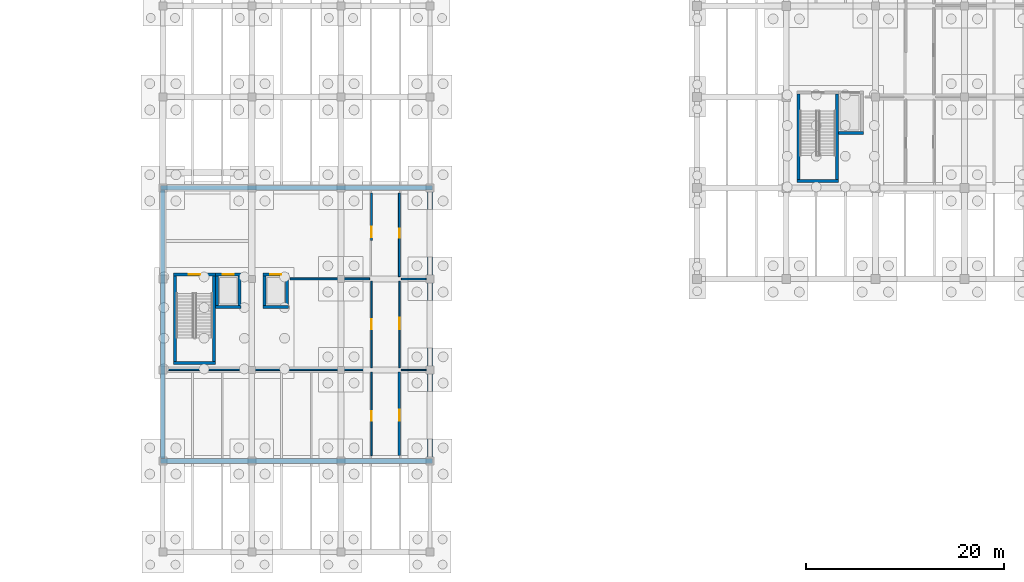
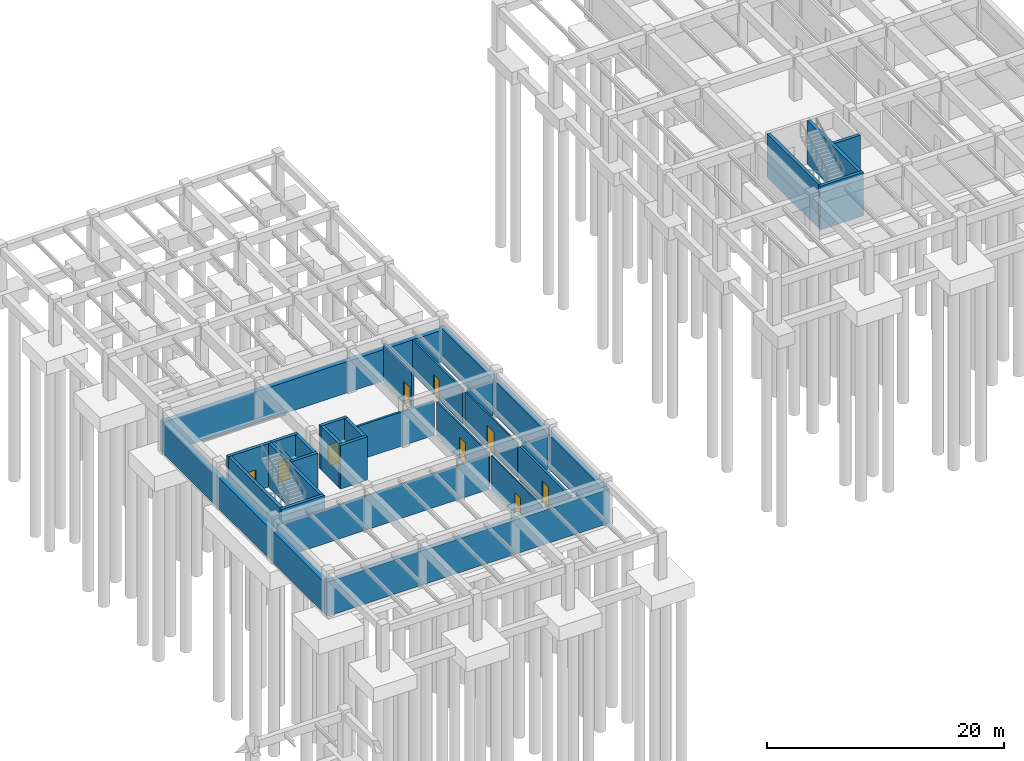
# One storey, part 10 of 16: 30 walls, 9 doors, 9 openings.
"""IFC4 building model written with IfcOpenShell, lengths in metres."""

import ifcopenshell
import ifcopenshell.guid

model = None  # the IFC model being written
_history = None  # IfcOwnerHistory: only IFC2X3 demands one
_inside = {}  # id of a spatial element -> (the spatial element, [elements in it])
_under = {}  # id of a project, library or spatial element -> (it, [spatial elements below it])
_declared = {}  # id of a project -> (the project, [libraries it declares])
_typed = {}  # id of a type object -> (the type object, [elements of that type])
_made_of = {}  # id of a material, layer set ... -> (it, [elements and type objects made of it])


def new_model(schema):
    """Start an empty IFC model of exactly this schema.

    Asked for "IFC4X3", IfcOpenShell would pick the latest addendum, in which some entities
    have other attributes; the version numbers below select the first issue.
    IFC2X3 requires an IfcOwnerHistory on every rooted entity: one is made here for all.
    """
    global model, _history
    if schema == "IFC4X3":
        model = ifcopenshell.file(schema_version=(4, 3, 0, 0))
    else:
        model = ifcopenshell.file(schema=schema)
    _inside.clear()
    _under.clear()
    _declared.clear()
    _typed.clear()
    _made_of.clear()
    _history = None
    if model.schema == "IFC2X3":
        org = make("IfcOrganization", Name="unknown")
        user = make(
            "IfcPersonAndOrganization",
            ThePerson=make("IfcPerson", FamilyName="unknown"),
            TheOrganization=org,
        )
        app = make(
            "IfcApplication",
            ApplicationDeveloper=org,
            Version="unknown",
            ApplicationFullName="unknown",
            ApplicationIdentifier="unknown",
        )
        _history = make(
            "IfcOwnerHistory",
            OwningUser=user,
            OwningApplication=app,
            ChangeAction="ADDED",
            CreationDate=0,
        )
    return model


def make(cls, **values):
    """One entity of the class cls with the attributes given. An attribute that is None is left unset."""
    return model.create_entity(
        cls, **{name: value for name, value in values.items() if value is not None}
    )


def rooted(cls, **values):
    """An entity with a GlobalId (a new one), such as an element, a storey or a relation."""
    return make(cls, GlobalId=ifcopenshell.guid.new(), OwnerHistory=_history, **values)


def si_unit(unit_type, name, prefix=None):
    """IfcSIUnit, for example si_unit("LENGTHUNIT", "METRE", prefix="MILLI")."""
    return make("IfcSIUnit", UnitType=unit_type, Prefix=prefix, Name=name)


def assignment(units):
    """IfcUnitAssignment: the units of a project."""
    return None if units is None else make("IfcUnitAssignment", Units=units)


def point(xyz):
    """IfcCartesianPoint."""
    return None if xyz is None else make("IfcCartesianPoint", Coordinates=xyz)


def direction(xyz):
    """IfcDirection."""
    return None if xyz is None else make("IfcDirection", DirectionRatios=xyz)


def frame(location, z_axis=None, x_axis=None):
    """IfcAxis2Placement3D, a coordinate frame: its origin and axes. An axis left out is left unset."""
    return make(
        "IfcAxis2Placement3D",
        Location=point(location),
        Axis=direction(z_axis),
        RefDirection=direction(x_axis),
    )


def frame_2d(location, x_axis=None):
    """IfcAxis2Placement2D, a coordinate frame in the plane: its origin and x axis."""
    return make(
        "IfcAxis2Placement2D", Location=point(location), RefDirection=direction(x_axis)
    )


def origin():
    """The frame at (0, 0, 0) with its axes left unset."""
    return frame((0.0, 0.0, 0.0))


def place(relative_to, where):
    """IfcLocalPlacement: puts the frame where relative to a parent placement (None: the world)."""
    return make(
        "IfcLocalPlacement", PlacementRelTo=relative_to, RelativePlacement=where
    )


def context(
    kind, dimensions, precision=None, world=None, true_north=None, identifier=None
):
    """IfcGeometricRepresentationContext, for example the 3D "Model" context."""
    return make(
        "IfcGeometricRepresentationContext",
        ContextIdentifier=identifier,
        ContextType=kind,
        CoordinateSpaceDimension=dimensions,
        Precision=precision,
        WorldCoordinateSystem=world,
        TrueNorth=true_north,
    )


def subcontext(parent, identifier, kind, view, scale=None):
    """IfcGeometricRepresentationSubContext, for example "Body" below "Model"."""
    return make(
        "IfcGeometricRepresentationSubContext",
        ContextIdentifier=identifier,
        ContextType=kind,
        ParentContext=parent,
        TargetScale=scale,
        TargetView=view,
    )


def project(units=None, contexts=None):
    """IfcProject with its units and contexts."""
    return rooted(
        "IfcProject",
        Name="project",
        RepresentationContexts=contexts,
        UnitsInContext=assignment(units),
    )


def spatial(cls, under=None, at=None, **own):
    """A site, building, storey or space (cls), placed at a placement, below another one or the project."""
    s = rooted(cls, ObjectPlacement=at, **own)
    if under is not None:
        _under.setdefault(under.id(), (under, []))[1].append(s)
    return s


def profile(cls, at=None, kind="AREA", **sizes):
    """A parametric profile (cls). Its sizes go by their IFC names, for example OverallWidth=200.0."""
    return make(cls, ProfileType=kind, Position=at, **sizes)


def rectangle(**sizes):
    """IfcRectangleProfileDef."""
    return profile("IfcRectangleProfileDef", **sizes)


def extrude(swept, where, along, depth):
    """IfcExtrudedAreaSolid: the profile swept, set in the frame where, extruded along a direction by depth."""
    return make(
        "IfcExtrudedAreaSolid",
        SweptArea=swept,
        Position=where,
        ExtrudedDirection=direction(along),
        Depth=depth,
    )


def shape(context_of_items, identifier, shape_type, items):
    """IfcShapeRepresentation: the items that make up one representation, for example the "Body"."""
    return make(
        "IfcShapeRepresentation",
        ContextOfItems=context_of_items,
        RepresentationIdentifier=identifier,
        RepresentationType=shape_type,
        Items=items,
    )


def material(Name=None, Category=None):
    """IfcMaterial."""
    return make("IfcMaterial", Name=Name, Category=Category)


def layer(
    of_material, thickness, ventilated=None, Name=None, Category=None, Priority=None
):
    """IfcMaterialLayer: one layer of a wall or slab, of a material (None: an air gap)."""
    return make(
        "IfcMaterialLayer",
        Material=of_material,
        LayerThickness=thickness,
        IsVentilated=ventilated,
        Name=Name,
        Category=Category,
        Priority=Priority,
    )


def layer_set(layers, Name=None):
    """IfcMaterialLayerSet."""
    return make("IfcMaterialLayerSet", MaterialLayers=layers, LayerSetName=Name)


def made_of(thing, what):
    """Note that an element or type object is made of a material, layer set ...; save() writes the relation."""
    if what is not None:
        _made_of.setdefault(what.id(), (what, []))[1].append(thing)
    return thing


def type_object(cls, material=None, **own):
    """A type object (cls), such as IfcWallType, which elements share."""
    return made_of(rooted(cls, **own), material)


def element(
    cls,
    number,
    at=None,
    inside=None,
    cuts=None,
    type_object=None,
    material=None,
    context=None,
    identifier="Body",
    shape_type=None,
    held_by="IfcProductDefinitionShape",
    body=None,
    shapes=None,
    **own,
):
    """One element of the class cls, such as IfcWall. Its Tag is "e" and its number.

    at: its placement. inside: the storey or other place that contains it. cuts: it is an
    opening in that element (IfcRelVoidsElement). A single representation is given by context,
    identifier, shape_type and body (its items); several are given by shapes. held_by: the class
    of the entity that holds the representations. save() writes the other relations.
    """
    e = rooted(cls, Tag="e%d" % number, ObjectPlacement=at, **own)
    if body is not None:
        shapes = [shape(context, identifier, shape_type, body)]
    if shapes is not None:
        e.Representation = make(held_by, Representations=shapes)
    if inside is not None:
        _inside.setdefault(inside.id(), (inside, []))[1].append(e)
    if cuts is not None:
        rooted(
            "IfcRelVoidsElement", RelatingBuildingElement=cuts, RelatedOpeningElement=e
        )
    if type_object is not None:
        _typed.setdefault(type_object.id(), (type_object, []))[1].append(e)
    return made_of(e, material)


def fill(opening, filler):
    """IfcRelFillsElement: the door or window that sits in an opening."""
    return rooted(
        "IfcRelFillsElement",
        RelatingOpeningElement=opening,
        RelatedBuildingElement=filler,
    )


def aggregate(whole, parts):
    """IfcRelAggregates: a whole, such as a stair, and the parts it consists of."""
    return rooted("IfcRelAggregates", RelatingObject=whole, RelatedObjects=parts)


def save(model, path):
    """Write the relations noted so far, then the file.

    IfcRelAggregates (storeys below a building ...), IfcRelContainedInSpatialStructure (elements
    in a storey), IfcRelDefinesByType, IfcRelAssociatesMaterial and IfcRelDeclares: one each for
    every whole, place, type object, material and project.
    """
    for whole, parts in _under.values():
        aggregate(whole, parts)
    for where, things in _inside.values():
        rooted(
            "IfcRelContainedInSpatialStructure",
            RelatedElements=things,
            RelatingStructure=where,
        )
    for kind, things in _typed.values():
        rooted("IfcRelDefinesByType", RelatedObjects=things, RelatingType=kind)
    for what, things in _made_of.values():
        rooted("IfcRelAssociatesMaterial", RelatedObjects=things, RelatingMaterial=what)
    for by, libraries in _declared.values():
        rooted("IfcRelDeclares", RelatingContext=by, RelatedDefinitions=libraries)
    model.write(path)


model = new_model("IFC4")

# Units and contexts
model_context = context("Model", 3, precision=1e-05, world=origin(), true_north=direction((0.0, 1.0)))
body_context = subcontext(model_context, "Body", "Model", "MODEL_VIEW")
ifc_project = project(units=[si_unit("LENGTHUNIT", "METRE"), si_unit("AREAUNIT", "SQUARE_METRE"), si_unit("VOLUMEUNIT", "CUBIC_METRE"), si_unit("PLANEANGLEUNIT", "RADIAN"), si_unit("MASSUNIT", "GRAM", prefix="KILO")], contexts=[model_context])

# Site, building, storey
site_placement = place(None, origin())
site = spatial("IfcSite", under=ifc_project, at=site_placement, CompositionType="ELEMENT")
building_placement = place(site_placement, origin())
building = spatial("IfcBuilding", under=site, at=building_placement, Name="Bozkorgan Art Gallery", CompositionType="ELEMENT")
storey_placement = place(building_placement, frame((0.0, 0.0, -4.800048828125)))
storey = spatial("IfcBuildingStorey", under=building, at=storey_placement, Name="B1", CompositionType="ELEMENT", Elevation=-4.800048828125)

# Wall, opening, door
ifc_material_1 = material(Name="Concrete C40/50", Category="concrete")
ifc_layer_1 = layer(ifc_material_1, 0.300048828125, Name="Concrete C40/50")
ifc_layer_set_1 = layer_set([ifc_layer_1], Name="Concrete C40/50")
wall_type_1 = type_object("IfcWallType", Name="IWALL-CW-44", PredefinedType="SHEAR", material=ifc_layer_set_1)
wall_1_placement = place(storey_placement, frame((75.10009765625, 66.449951171875, 0.0), z_axis=(0.0, 0.0, 1.0), x_axis=(1.0, 0.0, 0.0)))
wall_1 = element("IfcWall", 1, at=wall_1_placement, inside=storey, type_object=wall_type_1, Name="CORE2 B1 stair core north shear wall", PredefinedType="SHEAR", context=body_context, shape_type="SweptSolid", body=[
    extrude(rectangle(XDim=4.199951171875, YDim=0.300048828125, at=frame_2d((2.10009765625, 0.0))), origin(), (0.0, 0.0, 1.0), 4.47998046875),
])
opening_1_placement = place(wall_1_placement, frame((2.6748046875, 0.0, 0.0), z_axis=(0.0, 0.0, 1.0), x_axis=(-1.0, 0.0, 0.0)))
opening_1 = element("IfcOpeningElement", 2, at=opening_1_placement, cuts=wall_1, Name="Opening SD-41", PredefinedType="OPENING", context=body_context, shape_type="SweptSolid", body=[
    extrude(rectangle(XDim=1.14990234375, YDim=2.199951171875, at=frame_2d((0.574951171875, 1.10009765625))), frame((0.0, 0.16015625, 0.0), z_axis=(0.0, -1.0, 0.0), x_axis=(1.0, 0.0, 0.0)), (0.0, 0.0, 1.0), 0.320068359375),
])
ifc_material_2 = material(Name="Steel S355J2", Category="steel")
door_type_1 = type_object("IfcDoorType", Name="IDOOR-SD-41", OperationType="NOTDEFINED", PredefinedType="DOOR", material=ifc_material_2)
door_1_placement = place(opening_1_placement, origin())
door_1 = element("IfcDoor", 3, at=door_1_placement, inside=storey, type_object=door_type_1, Name="ST2 B1 Fire Stair Door", OperationType="SINGLE_SWING_LEFT", OverallHeight=2.199951171875, OverallWidth=1.14990234375, PredefinedType="DOOR", context=body_context, shape_type="SweptSolid", body=[
    extrude(rectangle(XDim=1.14990234375, YDim=2.199951171875, at=frame_2d((0.574951171875, 1.10009765625))), frame((0.0, 0.02490234375, 0.0), z_axis=(0.0, -1.0, 0.0), x_axis=(1.0, 0.0, 0.0)), (0.0, 0.0, 1.0), 0.050048828125),
])
fill(opening_1, door_1)

# Walls
wall_2_placement = place(storey_placement, frame((75.10009765625, 57.5, 0.0), z_axis=(0.0, 0.0, 1.0), x_axis=(1.0, 0.0, 0.0)))
element("IfcWall", 4, at=wall_2_placement, inside=storey, type_object=wall_type_1, Name="CORE2 B1 stair core S shear wall", PredefinedType="SHEAR", context=body_context, shape_type="SweptSolid", body=[
    extrude(rectangle(XDim=4.199951171875, YDim=0.300048828125, at=frame_2d((2.10009765625, 0.0))), origin(), (0.0, 0.0, 1.0), 4.47998046875),
])
for number, where, z_axis, x_axis, name in (
    (5, (75.25, 57.64990234375, 0.0), (0.0, 0.0, 1.0), (0.0, 1.0, 0.0), "CORE2 B1 stair core W shear wall"),
    (6, (79.14990234375, 57.64990234375, 0.0), (0.0, 0.0, 1.0), (0.0, 1.0, 0.0), "CORE2 B1 stair core E shear wall"),
):
    element("IfcWall", number, at=place(storey_placement, frame(where, z_axis=z_axis, x_axis=x_axis)), inside=storey, type_object=wall_type_1, Name=name, PredefinedType="SHEAR", context=body_context, shape_type="SweptSolid", body=[
        extrude(rectangle(XDim=8.650146484375, YDim=0.300048828125, at=frame_2d((4.3251953125, 0.0))), origin(), (0.0, 0.0, 1.0), 4.47998046875),
    ])

# Wall, opening, door
wall_3_placement = place(storey_placement, frame((79.300048828125, 66.449951171875, 0.0), z_axis=(0.0, 0.0, 1.0), x_axis=(1.0, 0.0, 0.0)))
wall_3 = element("IfcWall", 7, at=wall_3_placement, inside=storey, type_object=wall_type_1, Name="PL2 B1 shaft front shear wall", PredefinedType="SHEAR", context=body_context, shape_type="SweptSolid", body=[
    extrude(rectangle(XDim=2.599853515625, YDim=0.300048828125, at=frame_2d((1.2998046875, 0.0))), origin(), (0.0, 0.0, 1.0), 4.47998046875),
])
opening_2_placement = place(wall_3_placement, frame((0.75, 0.0, 0.0)))
opening_2 = element("IfcOpeningElement", 8, at=opening_2_placement, cuts=wall_3, Name="Opening LD-25", PredefinedType="OPENING", context=body_context, shape_type="SweptSolid", body=[
    extrude(rectangle(XDim=1.10009765625, YDim=2.199951171875, at=frame_2d((0.550048828125, 1.10009765625))), frame((0.0, 0.16015625, 0.0), z_axis=(0.0, -1.0, 0.0), x_axis=(1.0, 0.0, 0.0)), (0.0, 0.0, 1.0), 0.320068359375),
])
door_type_2 = type_object("IfcDoorType", Name="IDOOR-LD-25", OperationType="NOTDEFINED", PredefinedType="DOOR", material=ifc_material_2)
door_2_placement = place(opening_2_placement, origin())
door_2 = element("IfcDoor", 9, at=door_2_placement, inside=storey, type_object=door_type_2, Name="LD-PL2-B1 Lift Landing Door", OperationType="SLIDING_TO_LEFT", OverallHeight=2.199951171875, OverallWidth=1.10009765625, PredefinedType="DOOR", context=body_context, shape_type="SweptSolid", body=[
    extrude(rectangle(XDim=1.10009765625, YDim=2.199951171875, at=frame_2d((0.550048828125, 1.10009765625))), frame((0.0, 0.02490234375, 0.0), z_axis=(0.0, -1.0, 0.0), x_axis=(1.0, 0.0, 0.0)), (0.0, 0.0, 1.0), 0.050048828125),
])
fill(opening_2, door_2)

# Walls
wall_4_placement = place(storey_placement, frame((79.300048828125, 63.14990234375, 0.0), z_axis=(0.0, 0.0, 1.0), x_axis=(1.0, 0.0, 0.0)))
element("IfcWall", 10, at=wall_4_placement, inside=storey, type_object=wall_type_1, Name="PL2 B1 shaft S shear wall", PredefinedType="SHEAR", context=body_context, shape_type="SweptSolid", body=[
    extrude(rectangle(XDim=2.599853515625, YDim=0.300048828125, at=frame_2d((1.2998046875, 0.0))), origin(), (0.0, 0.0, 1.0), 4.47998046875),
])
for number, where, z_axis, x_axis, name in (
    (11, (81.75, 63.300048828125, 0.0), (0.0, 0.0, 1.0), (0.0, 1.0, 0.0), "PL2 B1 shaft E shear wall"),
    (12, (79.449951171875, 63.300048828125, 0.0), (0.0, 0.0, 1.0), (0.0, 1.0, 0.0), "PL2 B1 shaft W shear wall"),
):
    element("IfcWall", number, at=place(storey_placement, frame(where, z_axis=z_axis, x_axis=x_axis)), inside=storey, type_object=wall_type_1, Name=name, PredefinedType="SHEAR", context=body_context, shape_type="SweptSolid", body=[
        extrude(rectangle(XDim=3.0, YDim=0.300048828125, at=frame_2d((1.5, 0.0))), origin(), (0.0, 0.0, 1.0), 4.47998046875),
    ])

# Wall, opening, door
wall_5_placement = place(storey_placement, frame((84.10009765625, 66.449951171875, 0.0), z_axis=(0.0, 0.0, 1.0), x_axis=(1.0, 0.0, 0.0)))
wall_5 = element("IfcWall", 13, at=wall_5_placement, inside=storey, type_object=wall_type_1, Name="PL3 B1 shaft front shear wall", PredefinedType="SHEAR", context=body_context, shape_type="SweptSolid", body=[
    extrude(rectangle(XDim=2.599853515625, YDim=0.300048828125, at=frame_2d((1.2998046875, 0.0))), origin(), (0.0, 0.0, 1.0), 4.47998046875),
])
opening_3_placement = place(wall_5_placement, frame((0.75, 0.0, 0.0)))
opening_3 = element("IfcOpeningElement", 14, at=opening_3_placement, cuts=wall_5, Name="Opening LD-75", PredefinedType="OPENING", context=body_context, shape_type="SweptSolid", body=[
    extrude(rectangle(XDim=1.10009765625, YDim=2.199951171875, at=frame_2d((0.550048828125, 1.10009765625))), frame((0.0, 0.16015625, 0.0), z_axis=(0.0, -1.0, 0.0), x_axis=(1.0, 0.0, 0.0)), (0.0, 0.0, 1.0), 0.320068359375),
])
door_type_3 = type_object("IfcDoorType", Name="IDOOR-LD-75", OperationType="NOTDEFINED", PredefinedType="DOOR", material=ifc_material_2)
door_3_placement = place(opening_3_placement, origin())
door_3 = element("IfcDoor", 15, at=door_3_placement, inside=storey, type_object=door_type_3, Name="LD-PL3-B1 Lift Landing Door", OperationType="SLIDING_TO_RIGHT", OverallHeight=2.199951171875, OverallWidth=1.10009765625, PredefinedType="DOOR", context=body_context, shape_type="SweptSolid", body=[
    extrude(rectangle(XDim=1.10009765625, YDim=2.199951171875, at=frame_2d((0.550048828125, 1.10009765625))), frame((0.0, 0.02490234375, 0.0), z_axis=(0.0, -1.0, 0.0), x_axis=(1.0, 0.0, 0.0)), (0.0, 0.0, 1.0), 0.050048828125),
])
fill(opening_3, door_3)

# Walls
wall_6_placement = place(storey_placement, frame((84.10009765625, 63.14990234375, 0.0), z_axis=(0.0, 0.0, 1.0), x_axis=(1.0, 0.0, 0.0)))
element("IfcWall", 16, at=wall_6_placement, inside=storey, type_object=wall_type_1, Name="PL3 B1 shaft S shear wall", PredefinedType="SHEAR", context=body_context, shape_type="SweptSolid", body=[
    extrude(rectangle(XDim=2.599853515625, YDim=0.300048828125, at=frame_2d((1.2998046875, 0.0))), origin(), (0.0, 0.0, 1.0), 4.47998046875),
])
for number, where, z_axis, x_axis, name in (
    (17, (86.550048828125, 63.300048828125, 0.0), (0.0, 0.0, 1.0), (0.0, 1.0, 0.0), "PL3 B1 shaft E shear wall"),
    (18, (84.25, 63.300048828125, 0.0), (0.0, 0.0, 1.0), (0.0, 1.0, 0.0), "PL3 B1 shaft W shear wall"),
):
    element("IfcWall", number, at=place(storey_placement, frame(where, z_axis=z_axis, x_axis=x_axis)), inside=storey, type_object=wall_type_1, Name=name, PredefinedType="SHEAR", context=body_context, shape_type="SweptSolid", body=[
        extrude(rectangle(XDim=3.0, YDim=0.300048828125, at=frame_2d((1.5, 0.0))), origin(), (0.0, 0.0, 1.0), 4.47998046875),
    ])
wall_7_placement = place(storey_placement, frame((138.10009765625, 75.89990234375, 0.0), z_axis=(0.0, 0.0, 1.0), x_axis=(1.0, 0.0, 0.0)))
element("IfcWall", 19, at=wall_7_placement, inside=storey, type_object=wall_type_1, Name="CORE3 B1 stair core S shear wall", PredefinedType="SHEAR", context=body_context, shape_type="SweptSolid", body=[
    extrude(rectangle(XDim=4.199951171875, YDim=0.300048828125, at=frame_2d((2.10009765625, 0.0))), origin(), (0.0, 0.0, 1.0), 4.47998046875),
])
for number, where, z_axis, x_axis, name in (
    (20, (138.25, 76.050048828125, 0.0), (0.0, 0.0, 1.0), (0.0, 1.0, 0.0), "CORE3 B1 stair core W shear wall"),
    (21, (142.14990234375, 76.050048828125, 0.0), (0.0, 0.0, 1.0), (0.0, 1.0, 0.0), "CORE3 B1 stair core E shear wall"),
):
    element("IfcWall", number, at=place(storey_placement, frame(where, z_axis=z_axis, x_axis=x_axis)), inside=storey, type_object=wall_type_1, Name=name, PredefinedType="SHEAR", context=body_context, shape_type="SweptSolid", body=[
        extrude(rectangle(XDim=8.64990234375, YDim=0.300048828125, at=frame_2d((4.324951171875, 0.0))), origin(), (0.0, 0.0, 1.0), 4.47998046875),
    ])
wall_8_placement = place(storey_placement, frame((142.300048828125, 80.75, 0.0), z_axis=(0.0, 0.0, 1.0), x_axis=(1.0, 0.0, 0.0)))
element("IfcWall", 22, at=wall_8_placement, inside=storey, type_object=wall_type_1, Name="GL1 B1 shaft S shear wall", PredefinedType="SHEAR", context=body_context, shape_type="SweptSolid", body=[
    extrude(rectangle(XDim=2.5, YDim=0.300048828125, at=frame_2d((1.25, 0.0))), origin(), (0.0, 0.0, 1.0), 4.47998046875),
])

# Wall, opening, door
ifc_material_3 = material(Name="Acoustic Gypsum & Mineral Wool Partition")
ifc_layer_2 = layer(ifc_material_3, 0.22998046875, Name="Acoustic Gypsum & Mineral Wool Partition")
ifc_layer_set_2 = layer_set([ifc_layer_2], Name="Acoustic Gypsum & Mineral Wool Partition")
wall_type_2 = type_object("IfcWallType", Name="IWALL-PR-08", PredefinedType="PARTITIONING", material=ifc_layer_set_2)
wall_9_placement = place(storey_placement, frame((97.89990234375, 48.139892578125, 0.0), z_axis=(0.0, 0.0, 1.0), x_axis=(0.0, 1.0, 0.0)))
wall_9 = element("IfcWall", 23, at=wall_9_placement, inside=storey, type_object=wall_type_2, Name="V4 B1 acoustic partition wall 185", PredefinedType="PARTITIONING", context=body_context, shape_type="SweptSolid", body=[
    extrude(rectangle(XDim=8.440185546875, YDim=0.22998046875, at=frame_2d((4.22021484375, 0.0))), origin(), (0.0, 0.0, 1.0), 3.51513671875),
])
opening_4_placement = place(wall_9_placement, frame((3.518798828125, 0.0, 0.0)))
opening_4 = element("IfcOpeningElement", 24, at=opening_4_placement, cuts=wall_9, Name="Opening FD-89", PredefinedType="OPENING", context=body_context, shape_type="SweptSolid", body=[
    extrude(rectangle(XDim=1.1201171875, YDim=2.260009765625, at=frame_2d((0.56005859375, 1.1298828125))), frame((0.0, 0.125, 0.0), z_axis=(0.0, -1.0, 0.0), x_axis=(1.0, 0.0, 0.0)), (0.0, 0.0, 1.0), 0.25),
])
ifc_material_4 = material(Name="Oiled European Oak Joinery")
door_type_4 = type_object("IfcDoorType", Name="IDOOR-FD-89", OperationType="NOTDEFINED", PredefinedType="DOOR", material=ifc_material_4)
door_4_placement = place(opening_4_placement, origin())
door_4 = element("IfcDoor", 25, at=door_4_placement, inside=storey, type_object=door_type_4, Name="District Heating Substation Door", OperationType="SINGLE_SWING_RIGHT", OverallHeight=2.260009765625, OverallWidth=1.1201171875, PredefinedType="DOOR", context=body_context, shape_type="SweptSolid", body=[
    extrude(rectangle(XDim=1.1201171875, YDim=2.260009765625, at=frame_2d((0.56005859375, 1.1298828125))), frame((0.0, 0.02490234375, 0.0), z_axis=(0.0, -1.0, 0.0), x_axis=(1.0, 0.0, 0.0)), (0.0, 0.0, 1.0), 0.050048828125),
])
fill(opening_4, door_4)

ifc_layer_3 = layer(ifc_material_3, 0.2099609375, Name="Acoustic Gypsum & Mineral Wool Partition")
ifc_layer_set_3 = layer_set([ifc_layer_3], Name="Acoustic Gypsum & Mineral Wool Partition")
wall_type_3 = type_object("IfcWallType", Name="IWALL-PR-38", PredefinedType="PARTITIONING", material=ifc_layer_set_3)
wall_10_placement = place(storey_placement, frame((95.10009765625, 69.89990234375, 0.0), z_axis=(0.0, 0.0, 1.0), x_axis=(0.0, 1.0, 0.0)))
wall_10 = element("IfcWall", 26, at=wall_10_placement, inside=storey, type_object=wall_type_3, Name="V4 B1 acoustic partition wall 184", PredefinedType="PARTITIONING", context=body_context, shape_type="SweptSolid", body=[
    extrude(rectangle(XDim=4.760009765625, YDim=0.2099609375, at=frame_2d((2.3798828125, 0.0))), origin(), (0.0, 0.0, 1.0), 4.06494140625),
])
opening_5_placement = place(wall_10_placement, frame((1.380126953125, 0.0, 0.0), z_axis=(0.0, 0.0, 1.0), x_axis=(-1.0, 0.0, 0.0)))
opening_5 = element("IfcOpeningElement", 27, at=opening_5_placement, cuts=wall_10, Name="Opening FD-44", PredefinedType="OPENING", context=body_context, shape_type="SweptSolid", body=[
    extrude(rectangle(XDim=1.080078125, YDim=2.239990234375, at=frame_2d((0.5400390625, 1.1201171875))), frame((0.0, 0.114990234375, 0.0), z_axis=(0.0, -1.0, 0.0), x_axis=(1.0, 0.0, 0.0)), (0.0, 0.0, 1.0), 0.22998046875),
])
door_type_5 = type_object("IfcDoorType", Name="IDOOR-FD-44", OperationType="NOTDEFINED", PredefinedType="DOOR", material=ifc_material_4)
door_5_placement = place(opening_5_placement, origin())
door_5 = element("IfcDoor", 28, at=door_5_placement, inside=storey, type_object=door_type_5, Name="Crate Unpacking Room Door", OperationType="SINGLE_SWING_LEFT", OverallHeight=2.239990234375, OverallWidth=1.080078125, PredefinedType="DOOR", context=body_context, shape_type="SweptSolid", body=[
    extrude(rectangle(XDim=1.080078125, YDim=2.239990234375, at=frame_2d((0.5400390625, 1.1201171875))), frame((0.0, 0.02490234375, 0.0), z_axis=(0.0, -1.0, 0.0), x_axis=(1.0, 0.0, 0.0)), (0.0, 0.0, 1.0), 0.050048828125),
])
fill(opening_5, door_5)

ifc_layer_4 = layer(ifc_material_3, 0.169921875, Name="Acoustic Gypsum & Mineral Wool Partition")
ifc_layer_set_4 = layer_set([ifc_layer_4], Name="Acoustic Gypsum & Mineral Wool Partition")
wall_type_4 = type_object("IfcWallType", Name="IWALL-PR-40", PredefinedType="PARTITIONING", material=ifc_layer_set_4)
wall_11_placement = place(storey_placement, frame((95.10009765625, 57.02001953125, 0.0), z_axis=(0.0, 0.0, 1.0), x_axis=(0.0, 1.0, 0.0)))
wall_11 = element("IfcWall", 29, at=wall_11_placement, inside=storey, type_object=wall_type_4, Name="V4 B1 acoustic partition wall 182", PredefinedType="PARTITIONING", context=body_context, shape_type="SweptSolid", body=[
    extrude(rectangle(XDim=8.760009765625, YDim=0.169921875, at=frame_2d((4.3798828125, 0.0))), origin(), (0.0, 0.0, 1.0), 3.51513671875),
])
opening_6_placement = place(wall_11_placement, frame((4.8798828125, 0.0, 0.0), z_axis=(0.0, 0.0, 1.0), x_axis=(-1.0, 0.0, 0.0)))
opening_6 = element("IfcOpeningElement", 30, at=opening_6_placement, cuts=wall_11, Name="Opening FD-60", PredefinedType="OPENING", context=body_context, shape_type="SweptSolid", body=[
    extrude(rectangle(XDim=1.0, YDim=2.199951171875, at=frame_2d((0.5, 1.10009765625))), frame((0.0, 0.094970703125, 0.0), z_axis=(0.0, -1.0, 0.0), x_axis=(1.0, 0.0, 0.0)), (0.0, 0.0, 1.0), 0.18994140625),
])
door_type_6 = type_object("IfcDoorType", Name="IDOOR-FD-60", OperationType="NOTDEFINED", PredefinedType="DOOR", material=ifc_material_4)
door_6_placement = place(opening_6_placement, origin())
door_6 = element("IfcDoor", 31, at=door_6_placement, inside=storey, type_object=door_type_6, Name="Cold Photography Vault Door", OperationType="SINGLE_SWING_RIGHT", OverallHeight=2.199951171875, OverallWidth=1.0, PredefinedType="DOOR", context=body_context, shape_type="SweptSolid", body=[
    extrude(rectangle(XDim=1.0, YDim=2.199951171875, at=frame_2d((0.5, 1.10009765625))), frame((0.0, 0.02490234375, 0.0), z_axis=(0.0, -1.0, 0.0), x_axis=(1.0, 0.0, 0.0)), (0.0, 0.0, 1.0), 0.050048828125),
])
fill(opening_6, door_6)

ifc_layer_5 = layer(ifc_material_3, 0.14990234375, Name="Acoustic Gypsum & Mineral Wool Partition")
ifc_layer_set_5 = layer_set([ifc_layer_5], Name="Acoustic Gypsum & Mineral Wool Partition")
wall_type_5 = type_object("IfcWallType", Name="IWALL-PR-55", PredefinedType="PARTITIONING", material=ifc_layer_set_5)
wall_12_placement = place(storey_placement, frame((97.89990234375, 57.02001953125, 0.0), z_axis=(0.0, 0.0, 1.0), x_axis=(0.0, 1.0, 0.0)))
wall_12 = element("IfcWall", 32, at=wall_12_placement, inside=storey, type_object=wall_type_5, Name="V4 B1 acoustic partition wall 187", PredefinedType="PARTITIONING", context=body_context, shape_type="SweptSolid", body=[
    extrude(rectangle(XDim=8.760009765625, YDim=0.14990234375, at=frame_2d((4.3798828125, 0.0))), origin(), (0.0, 0.0, 1.0), 3.51513671875),
])
opening_7_placement = place(wall_12_placement, frame((3.8798828125, 0.0, 0.0)))
opening_7 = element("IfcOpeningElement", 33, at=opening_7_placement, cuts=wall_12, Name="Opening FD-05", PredefinedType="OPENING", context=body_context, shape_type="SweptSolid", body=[
    extrude(rectangle(XDim=1.199951171875, YDim=2.300048828125, at=frame_2d((0.60009765625, 1.14990234375))), frame((0.0, 0.0849609375, 0.0), z_axis=(0.0, -1.0, 0.0), x_axis=(1.0, 0.0, 0.0)), (0.0, 0.0, 1.0), 0.169921875),
])
door_type_7 = type_object("IfcDoorType", Name="IDOOR-FD-05", OperationType="NOTDEFINED", PredefinedType="DOOR", material=ifc_material_4)
door_7_placement = place(opening_7_placement, origin())
door_7 = element("IfcDoor", 34, at=door_7_placement, inside=storey, type_object=door_type_7, Name="Sprinkler Pump Room Door", OperationType="SINGLE_SWING_LEFT", OverallHeight=2.300048828125, OverallWidth=1.199951171875, PredefinedType="DOOR", context=body_context, shape_type="SweptSolid", body=[
    extrude(rectangle(XDim=1.199951171875, YDim=2.300048828125, at=frame_2d((0.60009765625, 1.14990234375))), frame((0.0, 0.02490234375, 0.0), z_axis=(0.0, -1.0, 0.0), x_axis=(1.0, 0.0, 0.0)), (0.0, 0.0, 1.0), 0.050048828125),
])
fill(opening_7, door_7)

ifc_layer_6 = layer(ifc_material_3, 0.18994140625, Name="Acoustic Gypsum & Mineral Wool Partition")
ifc_layer_set_6 = layer_set([ifc_layer_6], Name="Acoustic Gypsum & Mineral Wool Partition")
wall_type_6 = type_object("IfcWallType", Name="IWALL-PR-66", PredefinedType="PARTITIONING", material=ifc_layer_set_6)
wall_13_placement = place(storey_placement, frame((97.89990234375, 66.219970703125, 0.0), z_axis=(0.0, 0.0, 1.0), x_axis=(0.0, 1.0, 0.0)))
wall_13 = element("IfcWall", 35, at=wall_13_placement, inside=storey, type_object=wall_type_6, Name="V4 B1 acoustic partition wall 189", PredefinedType="PARTITIONING", context=body_context, shape_type="SweptSolid", body=[
    extrude(rectangle(XDim=8.43994140625, YDim=0.18994140625, at=frame_2d((4.219970703125, 0.0))), origin(), (0.0, 0.0, 1.0), 3.51513671875),
])
opening_8_placement = place(wall_13_placement, frame((3.921142578125, 0.0, 0.0)))
opening_8 = element("IfcOpeningElement", 36, at=opening_8_placement, cuts=wall_13, Name="Opening FD-12", PredefinedType="OPENING", context=body_context, shape_type="SweptSolid", body=[
    extrude(rectangle(XDim=0.919921875, YDim=2.1201171875, at=frame_2d((0.4599609375, 1.06005859375))), frame((0.0, 0.10498046875, 0.0), z_axis=(0.0, -1.0, 0.0), x_axis=(1.0, 0.0, 0.0)), (0.0, 0.0, 1.0), 0.2099609375),
])
door_type_8 = type_object("IfcDoorType", Name="IDOOR-FD-12", OperationType="NOTDEFINED", PredefinedType="DOOR", material=ifc_material_4)
door_8_placement = place(opening_8_placement, origin())
door_8 = element("IfcDoor", 37, at=door_8_placement, inside=storey, type_object=door_type_8, Name="Collection Archive Room Door", OperationType="SINGLE_SWING_RIGHT", OverallHeight=2.1201171875, OverallWidth=0.919921875, PredefinedType="DOOR", context=body_context, shape_type="SweptSolid", body=[
    extrude(rectangle(XDim=0.919921875, YDim=2.1201171875, at=frame_2d((0.4599609375, 1.06005859375))), frame((0.0, 0.02490234375, 0.0), z_axis=(0.0, -1.0, 0.0), x_axis=(1.0, 0.0, 0.0)), (0.0, 0.0, 1.0), 0.050048828125),
])
fill(opening_8, door_8)

ifc_layer_7 = layer(ifc_material_3, 0.1298828125, Name="Acoustic Gypsum & Mineral Wool Partition")
ifc_layer_set_7 = layer_set([ifc_layer_7], Name="Acoustic Gypsum & Mineral Wool Partition")
wall_type_7 = type_object("IfcWallType", Name="IWALL-PR-76", PredefinedType="PARTITIONING", material=ifc_layer_set_7)
wall_14_placement = place(storey_placement, frame((95.10009765625, 48.139892578125, 0.0), z_axis=(0.0, 0.0, 1.0), x_axis=(0.0, 1.0, 0.0)))
wall_14 = element("IfcWall", 38, at=wall_14_placement, inside=storey, type_object=wall_type_7, Name="V4 B1 acoustic partition wall 180", PredefinedType="PARTITIONING", context=body_context, shape_type="SweptSolid", body=[
    extrude(rectangle(XDim=8.440185546875, YDim=0.1298828125, at=frame_2d((4.22021484375, 0.0))), origin(), (0.0, 0.0, 1.0), 3.51513671875),
])
opening_9_placement = place(wall_14_placement, frame((4.46875, 0.0, 0.0), z_axis=(0.0, 0.0, 1.0), x_axis=(-1.0, 0.0, 0.0)))
opening_9 = element("IfcOpeningElement", 39, at=opening_9_placement, cuts=wall_14, Name="Opening FD-92", PredefinedType="OPENING", context=body_context, shape_type="SweptSolid", body=[
    extrude(rectangle(XDim=0.949951171875, YDim=2.14990234375, at=frame_2d((0.47509765625, 1.074951171875))), frame((0.0, 0.074951171875, 0.0), z_axis=(0.0, -1.0, 0.0), x_axis=(1.0, 0.0, 0.0)), (0.0, 0.0, 1.0), 0.14990234375),
])
door_type_9 = type_object("IfcDoorType", Name="IDOOR-FD-92", OperationType="NOTDEFINED", PredefinedType="DOOR", material=ifc_material_4)
door_9_placement = place(opening_9_placement, origin())
door_9 = element("IfcDoor", 40, at=door_9_placement, inside=storey, type_object=door_type_9, Name="Works on Paper Archive Vault Door", OperationType="SINGLE_SWING_LEFT", OverallHeight=2.14990234375, OverallWidth=0.949951171875, PredefinedType="DOOR", context=body_context, shape_type="SweptSolid", body=[
    extrude(rectangle(XDim=0.949951171875, YDim=2.14990234375, at=frame_2d((0.47509765625, 1.074951171875))), frame((0.0, 0.02490234375, 0.0), z_axis=(0.0, -1.0, 0.0), x_axis=(1.0, 0.0, 0.0)), (0.0, 0.0, 1.0), 0.050048828125),
])
fill(opening_9, door_9)

# Walls
ifc_layer_8 = layer(ifc_material_3, 0.169921875, Name="Acoustic Gypsum & Mineral Wool Partition")
ifc_layer_set_8 = layer_set([ifc_layer_8], Name="Acoustic Gypsum & Mineral Wool Partition")
wall_type_8 = type_object("IfcWallType", Name="IWALL-PW-02", PredefinedType="PARTITIONING", material=ifc_layer_set_8)
wall_15_placement = place(storey_placement, frame((98.10009765625, 66.0, 0.0), z_axis=(0.0, 0.0, 1.0), x_axis=(1.0, 0.0, 0.0)))
element("IfcWall", 41, at=wall_15_placement, inside=storey, type_object=wall_type_8, Name="V4 B1 acoustic partition wall 188", PredefinedType="PARTITIONING", context=body_context, shape_type="SweptSolid", body=[
    extrude(rectangle(XDim=2.5, YDim=0.169921875, at=frame_2d((1.25, 0.0))), origin(), (0.0, 0.0, 1.0), 3.51513671875),
])
ifc_layer_9 = layer(ifc_material_3, 0.14990234375, Name="Acoustic Gypsum & Mineral Wool Partition")
ifc_layer_set_9 = layer_set([ifc_layer_9], Name="Acoustic Gypsum & Mineral Wool Partition")
wall_type_9 = type_object("IfcWallType", Name="IWALL-PW-17", PredefinedType="PARTITIONING", material=ifc_layer_set_9)
wall_16_placement = place(storey_placement, frame((74.39990234375, 56.800048828125, 0.0), z_axis=(0.0, 0.0, 1.0), x_axis=(1.0, 0.0, 0.0)))
element("IfcWall", 42, at=wall_16_placement, inside=storey, type_object=wall_type_9, Name="V4 B1 acoustic partition wall 181", PredefinedType="PARTITIONING", context=body_context, shape_type="SweptSolid", body=[
    extrude(rectangle(XDim=20.5, YDim=0.14990234375, at=frame_2d((10.25, 0.0))), origin(), (0.0, 0.0, 1.0), 3.51513671875),
])
ifc_layer_10 = layer(ifc_material_3, 0.18994140625, Name="Acoustic Gypsum & Mineral Wool Partition")
ifc_layer_set_10 = layer_set([ifc_layer_10], Name="Acoustic Gypsum & Mineral Wool Partition")
wall_type_10 = type_object("IfcWallType", Name="IWALL-PW-23", PredefinedType="PARTITIONING", material=ifc_layer_set_10)
wall_17_placement = place(storey_placement, frame((86.860107421875, 66.0, 0.0), z_axis=(0.0, 0.0, 1.0), x_axis=(1.0, 0.0, 0.0)))
element("IfcWall", 43, at=wall_17_placement, inside=storey, type_object=wall_type_10, Name="V4 B1 acoustic partition wall 183", PredefinedType="PARTITIONING", context=body_context, shape_type="SweptSolid", body=[
    extrude(rectangle(XDim=8.039794921875, YDim=0.18994140625, at=frame_2d((4.02001953125, 0.0))), origin(), (0.0, 0.0, 1.0), 3.51513671875),
])
ifc_layer_11 = layer(ifc_material_3, 0.1298828125, Name="Acoustic Gypsum & Mineral Wool Partition")
ifc_layer_set_11 = layer_set([ifc_layer_11], Name="Acoustic Gypsum & Mineral Wool Partition")
wall_type_11 = type_object("IfcWallType", Name="IWALL-PW-97", PredefinedType="PARTITIONING", material=ifc_layer_set_11)
wall_18_placement = place(storey_placement, frame((98.10009765625, 56.800048828125, 0.0), z_axis=(0.0, 0.0, 1.0), x_axis=(1.0, 0.0, 0.0)))
element("IfcWall", 44, at=wall_18_placement, inside=storey, type_object=wall_type_11, Name="V4 B1 acoustic partition wall 186", PredefinedType="PARTITIONING", context=body_context, shape_type="SweptSolid", body=[
    extrude(rectangle(XDim=2.5, YDim=0.1298828125, at=frame_2d((1.25, 0.0))), origin(), (0.0, 0.0, 1.0), 3.51513671875),
])
ifc_layer_12 = layer(ifc_material_1, 0.4599609375, Name="Concrete C40/50")
ifc_layer_set_12 = layer_set([ifc_layer_12], Name="Concrete C40/50")
wall_type_12 = type_object("IfcWallType", Name="WALL-RW-61", PredefinedType="SOLIDWALL", material=ifc_layer_set_12)
wall_19_placement = place(storey_placement, frame((73.77001953125, 47.60009765625, 0.0), z_axis=(0.0, 0.0, 1.0), x_axis=(1.0, 0.0, 0.0)))
element("IfcWall", 45, at=wall_19_placement, inside=storey, type_object=wall_type_12, Name="V4 B1 perimeter retaining wall (S)", PredefinedType="SOLIDWALL", context=body_context, shape_type="SweptSolid", body=[
    extrude(rectangle(XDim=27.4599609375, YDim=0.4599609375, at=frame_2d((13.72998046875, 0.0))), origin(), (0.0, 0.0, 1.0), 3.51513671875),
])
wall_20_placement = place(storey_placement, frame((73.77001953125, 75.199951171875, 0.0), z_axis=(0.0, 0.0, 1.0), x_axis=(1.0, 0.0, 0.0)))
element("IfcWall", 46, at=wall_20_placement, inside=storey, type_object=wall_type_12, Name="V4 B1 perimeter retaining wall (N)", PredefinedType="SOLIDWALL", context=body_context, shape_type="SweptSolid", body=[
    extrude(rectangle(XDim=27.4599609375, YDim=0.4599609375, at=frame_2d((13.72998046875, 0.0))), origin(), (0.0, 0.0, 1.0), 3.215087890625),
])
wall_21_placement = place(storey_placement, frame((74.0, 47.60009765625, 0.0), z_axis=(0.0, 0.0, 1.0), x_axis=(0.0, 1.0, 0.0)))
element("IfcWall", 47, at=wall_21_placement, inside=storey, type_object=wall_type_12, Name="V4 B1 perimeter retaining wall (W)", PredefinedType="SOLIDWALL", context=body_context, shape_type="SweptSolid", body=[
    extrude(rectangle(XDim=27.599853515625, YDim=0.4599609375, at=frame_2d((13.7998046875, 0.0))), origin(), (0.0, 0.0, 1.0), 3.215087890625),
])
wall_22_placement = place(storey_placement, frame((101.0, 47.60009765625, 0.0), z_axis=(0.0, 0.0, 1.0), x_axis=(0.0, 1.0, 0.0)))
element("IfcWall", 48, at=wall_22_placement, inside=storey, type_object=wall_type_12, Name="V4 B1 perimeter retaining wall (E)", PredefinedType="SOLIDWALL", context=body_context, shape_type="SweptSolid", body=[
    extrude(rectangle(XDim=27.599853515625, YDim=0.4599609375, at=frame_2d((13.7998046875, 0.0))), origin(), (0.0, 0.0, 1.0), 3.51513671875),
])

save(model, "model.ifc")
